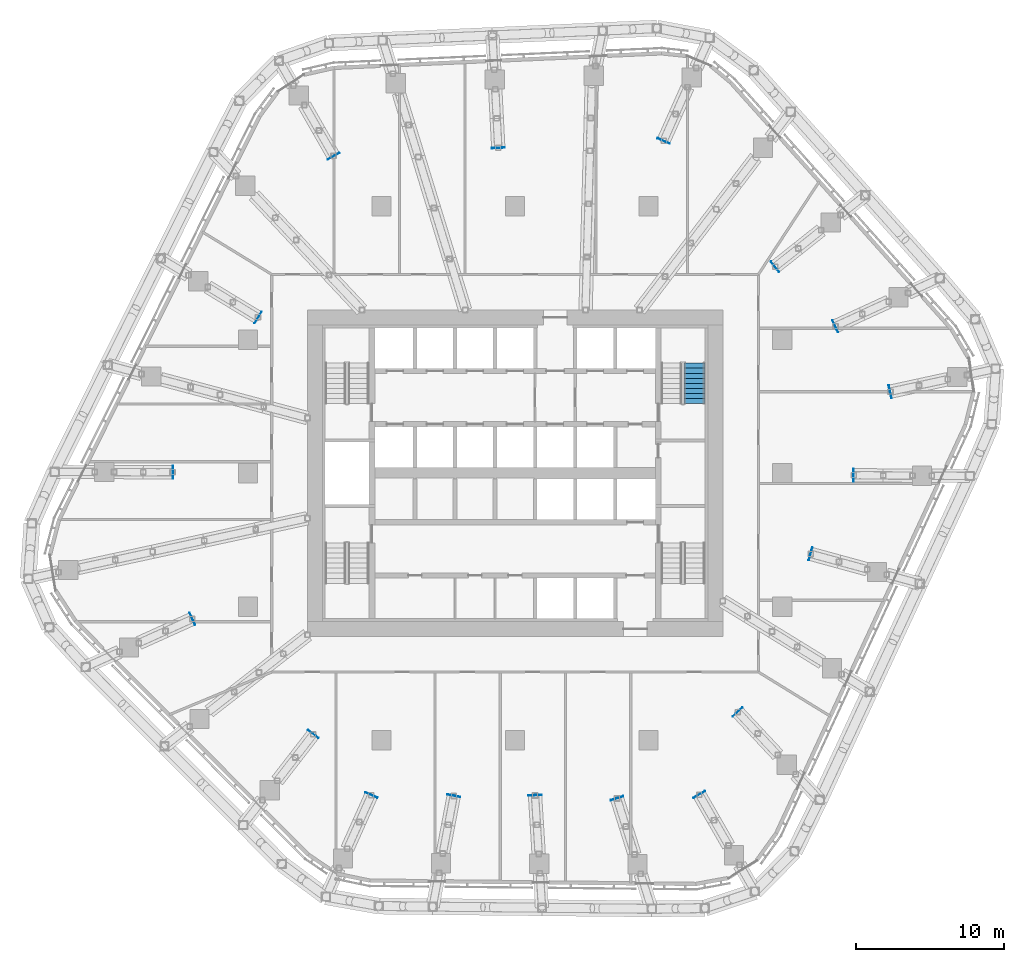
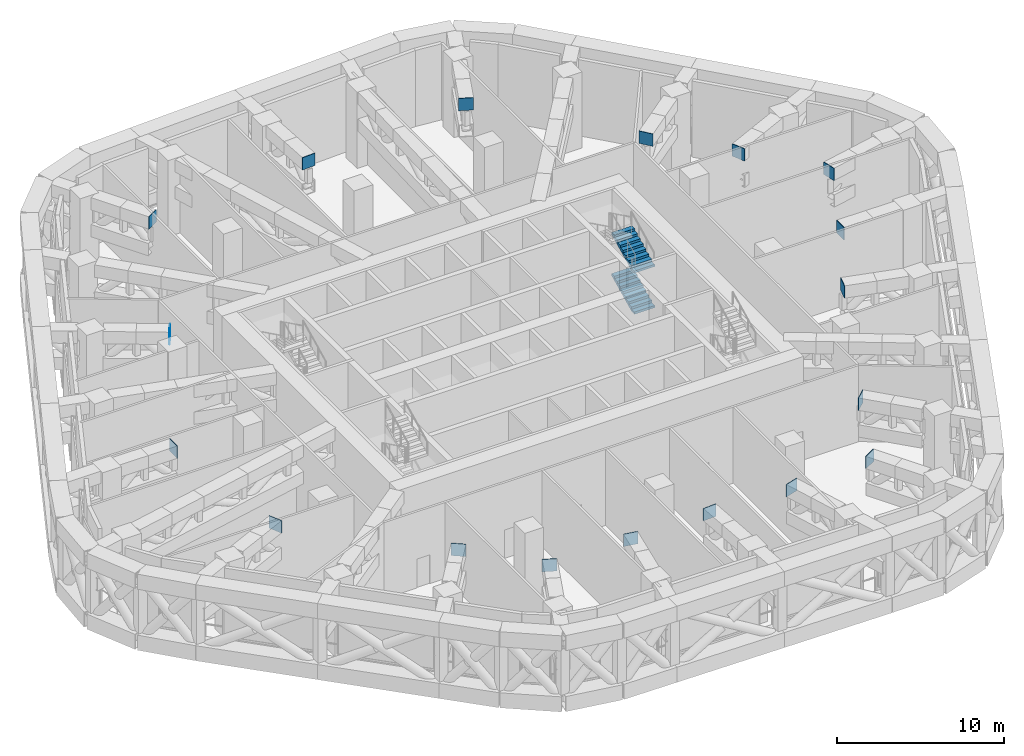
# One storey, part 20 of 30: 18 discrete accessories, 2 stair flights, 1 element without a shape of its own.
"""IFC4 building model written with IfcOpenShell, lengths in metres."""

from ifc_helpers import new_model, si_unit, direction, frame, origin, origin_2d, place, context, subcontext, project, spatial, polyline, rectangle, outline, extrude, material, layer, layer_set, type_object, element, aggregate, save


model = new_model("IFC4")

# Units and contexts
model_context = context("Model", 3, precision=1e-05, world=origin(), true_north=direction((0.0, 1.0)))
body_context = subcontext(model_context, "Body", "Model", "MODEL_VIEW")
ifc_project = project(units=[si_unit("LENGTHUNIT", "METRE"), si_unit("AREAUNIT", "SQUARE_METRE"), si_unit("VOLUMEUNIT", "CUBIC_METRE"), si_unit("PLANEANGLEUNIT", "RADIAN"), si_unit("MASSUNIT", "GRAM", prefix="KILO")], contexts=[model_context])

# Site, building, storey
site_placement = place(None, origin())
site = spatial("IfcSite", under=ifc_project, at=site_placement, CompositionType="ELEMENT")
building_placement = place(site_placement, origin())
building = spatial("IfcBuilding", under=site, at=building_placement, Name="Dongbaek Canopy Tower", CompositionType="ELEMENT")
storey_placement = place(building_placement, frame((0.0, 0.0, 145.60009765625)))
storey = spatial("IfcBuildingStorey", under=building, at=storey_placement, Name="L32", CompositionType="ELEMENT", Elevation=145.60009765625)

# Stair, stair flights
ifc_material_1 = material(Name="Concrete C40/50", Category="concrete")
stair_type = type_object("IfcStairType", Name="Core exit stair", PredefinedType="HALF_TURN_STAIR", material=ifc_material_1)
stair_placement = place(storey_placement, origin())
stair = element("IfcStair", 1, at=stair_placement, inside=storey, type_object=stair_type, Name="L32 exit stair A", PredefinedType="HALF_TURN_STAIR")
ifc_material_2 = material(Name="Concrete C40/50", Category="concrete")
ifc_layer = layer(ifc_material_2, 0.14990234375)
ifc_layer_set = layer_set([ifc_layer], Name="Core stair flight 150 waist")
stair_flight_type = type_object("IfcStairFlightType", Name="Core stair flight 150 waist", PredefinedType="STRAIGHT", material=ifc_layer_set)
stair_flight_1_placement = place(storey_placement, frame((12.10009765625, 4.699951171875, 0.0), z_axis=(0.0, 0.0, 1.0), x_axis=(0.0, 1.0, 0.0)))
stair_flight_1 = element("IfcStairFlight", 2, at=stair_flight_1_placement, type_object=stair_flight_type, Name="ST-A flight 1", NumberOfRisers=9, NumberOfTreads=8, PredefinedType="STRAIGHT", RiserHeight=0.166666667, TreadLength=0.34, context=body_context, shape_type="SweptSolid", body=[
    extrude(outline(polyline([(0.0, 0.0), (0.0, 0.166748046875), (0.340087890625, 0.166748046875), (0.340087890625, 0.333251953125), (0.679931640625, 0.333251953125), (0.679931640625, 0.5), (1.02001953125, 0.5), (1.02001953125, 0.666748046875), (1.360107421875, 0.666748046875), (1.360107421875, 0.833251953125), (1.699951171875, 0.833251953125), (1.699951171875, 1.0), (2.0400390625, 1.0), (2.0400390625, 1.166748046875), (2.3798828125, 1.166748046875), (2.3798828125, 1.333251953125), (2.719970703125, 1.333251953125), (2.719970703125, 1.5), (2.719970703125, 1.16650390625), (0.340576171875, 0.0), (0.0, 0.0)])), frame((0.0, 0.699951171875, 0.0), z_axis=(0.0, -1.0, 0.0), x_axis=(1.0, 0.0, 0.0)), (0.0, 0.0, 1.0), 1.39990234375),
])
stair_flight_2_placement = place(storey_placement, frame((12.10009765625, 4.699951171875, 3.0), z_axis=(0.0, 0.0, 1.0), x_axis=(0.0, 1.0, 0.0)))
stair_flight_2 = element("IfcStairFlight", 3, at=stair_flight_2_placement, type_object=stair_flight_type, Name="ST-A flight 3", NumberOfRisers=9, NumberOfTreads=8, PredefinedType="STRAIGHT", RiserHeight=0.166666667, TreadLength=0.34, context=body_context, shape_type="SweptSolid", body=[
    extrude(outline(polyline([(0.0, 0.0), (0.0, 0.166748046875), (0.340087890625, 0.166748046875), (0.340087890625, 0.333251953125), (0.679931640625, 0.333251953125), (0.679931640625, 0.5), (1.02001953125, 0.5), (1.02001953125, 0.666748046875), (1.360107421875, 0.666748046875), (1.360107421875, 0.833251953125), (1.699951171875, 0.833251953125), (1.699951171875, 1.0), (2.0400390625, 1.0), (2.0400390625, 1.166748046875), (2.3798828125, 1.166748046875), (2.3798828125, 1.333251953125), (2.719970703125, 1.333251953125), (2.719970703125, 1.5), (2.719970703125, 1.16650390625), (0.340576171875, 0.0), (0.0, 0.0)])), frame((0.0, 0.699951171875, 0.0), z_axis=(0.0, -1.0, 0.0), x_axis=(1.0, 0.0, 0.0)), (0.0, 0.0, 1.0), 1.39990234375),
])
aggregate(stair, [stair_flight_1, stair_flight_2])

# Discrete accessories
ifc_material_3 = material(Name="Steel S355 end plate", Category="steel")
discrete_accessory_type = type_object("IfcDiscreteAccessoryType", Name="Chord end plate EP 900x900x40", PredefinedType="BRACKET", material=ifc_material_3)
for number, where, z_axis, x_axis, name in (
    (4, (12.4130859375, -21.65478515625, 4.64990234375), (0.0, 0.0, 1.0), (0.497314693396, -0.867570225246, 0.0), "End plate TR32-01"),
    (5, (6.866943359375, -21.91064453125, 4.64990234375), (0.0, 0.0, 1.0), (0.299064108657, -0.954233021286, 0.0), "End plate TR32-02"),
    (6, (1.343505859375, -21.70654296875, 4.64990234375), (0.0, 0.0, 1.0), (0.061776710098, -0.998089994985, 0.0), "End plate TR32-03"),
    (7, (-4.134521484375, -21.739990234375, 4.64990234375), (0.0, 0.0, 1.0), (-0.186837816483, -0.982390772723, 0.0), "End plate TR32-04"),
    (8, (-9.689453125, -21.691162109375, 4.64990234375), (0.0, 0.0, 1.0), (-0.407857226274, -0.9130457179, 0.0), "End plate TR32-05"),
    (9, (-13.6015625, -17.586669921875, 4.64990234375), (0.0, 0.0, 1.0), (-0.611781102634, -0.791027106021, 0.0), "End plate TR32-06"),
    (10, (-21.75244140625, -9.816650390625, 4.64990234375), (0.0, 0.0, 1.0), (-0.911481547, -0.41134096499, 0.0), "End plate TR32-08"),
    (11, (-23.072998046875, 0.069091796875, 4.64990234375), (0.0, 0.0, 1.0), (-0.999995509807, 0.00299672584, 0.0), "End plate TR32-10"),
    (12, (-17.319091796875, 10.499755859375, 4.64990234375), (0.0, 0.0, 1.0), (-0.855124574842, 0.518422570402, 0.0), "End plate TR32-12"),
    (13, (-12.232421875, 21.376220703125, 4.64990234375), (0.0, 0.0, 1.0), (-0.496667993789, 0.86794061084, 0.0), "End plate TR32-14"),
    (14, (-1.133544921875, 21.92919921875, 4.64990234375), (0.0, 0.0, 1.0), (-0.051619595593, 0.998666819991, 0.0), "End plate TR32-16"),
    (15, (10.007080078125, 22.3994140625, 4.64990234375), (0.0, 0.0, 1.0), (0.407906626205, 0.913023649364, 0.0), "End plate TR32-18"),
    (16, (17.52099609375, 13.9130859375, 4.64990234375), (0.0, 0.0, 1.0), (0.783126142746, 0.621862882433, 0.0), "End plate TR32-20"),
    (17, (21.5830078125, 9.907470703125, 4.64990234375), (0.0, 0.0, 1.0), (0.908822255488, 0.417183542256, 0.0), "End plate TR32-21"),
    (18, (25.281494140625, 5.497314453125, 4.64990234375), (0.0, 0.0, 1.0), (0.977167367408, 0.212471024078, 0.0), "End plate TR32-22"),
    (19, (22.816162109375, -0.13720703125, 4.64990234375), (0.0, 0.0, 1.0), (0.999981913523, -0.006014368343, 0.0), "End plate TR32-23"),
    (20, (19.916015625, -5.4345703125, 4.64990234375), (0.0, 0.0, 1.0), (0.964728078563, -0.263248427218, 0.0), "End plate TR32-24"),
    (21, (15.00146484375, -16.08837890625, 4.64990234375), (0.0, 0.0, 1.0), (0.681969001094, -0.731381078199, 0.0), "End plate TR32-26"),
):
    element("IfcDiscreteAccessory", number, at=place(storey_placement, frame(where, z_axis=z_axis, x_axis=x_axis)), inside=storey, type_object=discrete_accessory_type, Name=name, PredefinedType="BRACKET", context=body_context, shape_type="SweptSolid", body=[
        extrude(rectangle(XDim=0.0400390625, YDim=0.89990234375, at=origin_2d()), origin(), (0.0, 0.0, 1.0), 0.89990234375),
    ])

save(model, "model.ifc")
